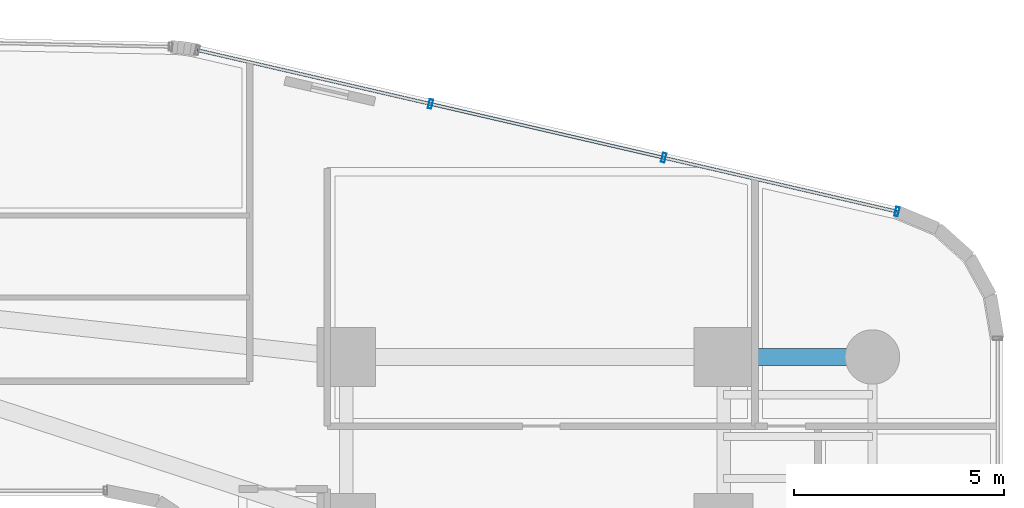
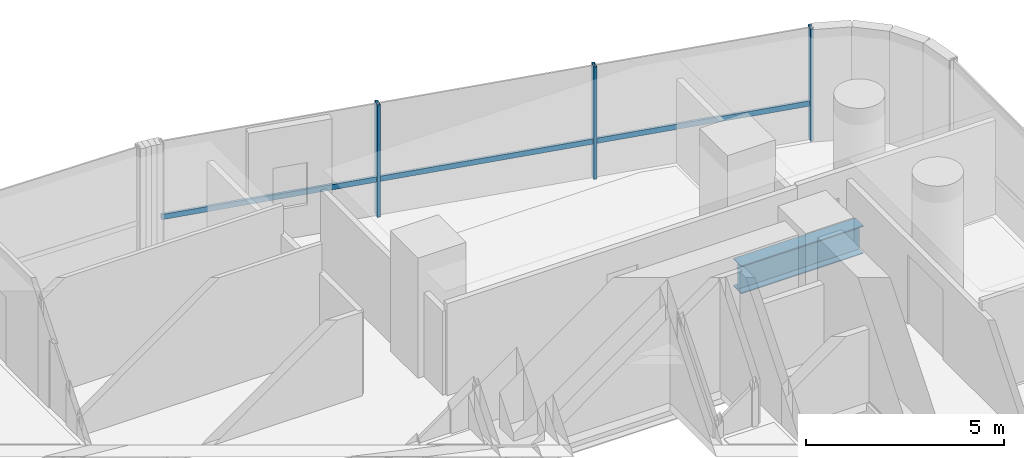
# One storey, part 25 of 41: 4 members, 1 beam, 1 element without a shape of its own.
"""IFC4 building model written with IfcOpenShell, lengths in metres."""

import ifcopenshell
import ifcopenshell.guid

model = None  # the IFC model being written
_history = None  # IfcOwnerHistory: only IFC2X3 demands one
_inside = {}  # id of a spatial element -> (the spatial element, [elements in it])
_under = {}  # id of a project, library or spatial element -> (it, [spatial elements below it])
_declared = {}  # id of a project -> (the project, [libraries it declares])
_typed = {}  # id of a type object -> (the type object, [elements of that type])
_made_of = {}  # id of a material, layer set ... -> (it, [elements and type objects made of it])


def new_model(schema):
    """Start an empty IFC model of exactly this schema.

    Asked for "IFC4X3", IfcOpenShell would pick the latest addendum, in which some entities
    have other attributes; the version numbers below select the first issue.
    IFC2X3 requires an IfcOwnerHistory on every rooted entity: one is made here for all.
    """
    global model, _history
    if schema == "IFC4X3":
        model = ifcopenshell.file(schema_version=(4, 3, 0, 0))
    else:
        model = ifcopenshell.file(schema=schema)
    _inside.clear()
    _under.clear()
    _declared.clear()
    _typed.clear()
    _made_of.clear()
    _history = None
    if model.schema == "IFC2X3":
        org = make("IfcOrganization", Name="unknown")
        user = make(
            "IfcPersonAndOrganization",
            ThePerson=make("IfcPerson", FamilyName="unknown"),
            TheOrganization=org,
        )
        app = make(
            "IfcApplication",
            ApplicationDeveloper=org,
            Version="unknown",
            ApplicationFullName="unknown",
            ApplicationIdentifier="unknown",
        )
        _history = make(
            "IfcOwnerHistory",
            OwningUser=user,
            OwningApplication=app,
            ChangeAction="ADDED",
            CreationDate=0,
        )
    return model


def make(cls, **values):
    """One entity of the class cls with the attributes given. An attribute that is None is left unset."""
    return model.create_entity(
        cls, **{name: value for name, value in values.items() if value is not None}
    )


def rooted(cls, **values):
    """An entity with a GlobalId (a new one), such as an element, a storey or a relation."""
    return make(cls, GlobalId=ifcopenshell.guid.new(), OwnerHistory=_history, **values)


def si_unit(unit_type, name, prefix=None):
    """IfcSIUnit, for example si_unit("LENGTHUNIT", "METRE", prefix="MILLI")."""
    return make("IfcSIUnit", UnitType=unit_type, Prefix=prefix, Name=name)


def assignment(units):
    """IfcUnitAssignment: the units of a project."""
    return None if units is None else make("IfcUnitAssignment", Units=units)


def point(xyz):
    """IfcCartesianPoint."""
    return None if xyz is None else make("IfcCartesianPoint", Coordinates=xyz)


def direction(xyz):
    """IfcDirection."""
    return None if xyz is None else make("IfcDirection", DirectionRatios=xyz)


def frame(location, z_axis=None, x_axis=None):
    """IfcAxis2Placement3D, a coordinate frame: its origin and axes. An axis left out is left unset."""
    return make(
        "IfcAxis2Placement3D",
        Location=point(location),
        Axis=direction(z_axis),
        RefDirection=direction(x_axis),
    )


def frame_2d(location, x_axis=None):
    """IfcAxis2Placement2D, a coordinate frame in the plane: its origin and x axis."""
    return make(
        "IfcAxis2Placement2D", Location=point(location), RefDirection=direction(x_axis)
    )


def origin():
    """The frame at (0, 0, 0) with its axes left unset."""
    return frame((0.0, 0.0, 0.0))


def origin_2d():
    """The frame at (0, 0) in the plane with its x axis left unset."""
    return frame_2d((0.0, 0.0))


def place(relative_to, where):
    """IfcLocalPlacement: puts the frame where relative to a parent placement (None: the world)."""
    return make(
        "IfcLocalPlacement", PlacementRelTo=relative_to, RelativePlacement=where
    )


def context(
    kind, dimensions, precision=None, world=None, true_north=None, identifier=None
):
    """IfcGeometricRepresentationContext, for example the 3D "Model" context."""
    return make(
        "IfcGeometricRepresentationContext",
        ContextIdentifier=identifier,
        ContextType=kind,
        CoordinateSpaceDimension=dimensions,
        Precision=precision,
        WorldCoordinateSystem=world,
        TrueNorth=true_north,
    )


def subcontext(parent, identifier, kind, view, scale=None):
    """IfcGeometricRepresentationSubContext, for example "Body" below "Model"."""
    return make(
        "IfcGeometricRepresentationSubContext",
        ContextIdentifier=identifier,
        ContextType=kind,
        ParentContext=parent,
        TargetScale=scale,
        TargetView=view,
    )


def project(units=None, contexts=None):
    """IfcProject with its units and contexts."""
    return rooted(
        "IfcProject",
        Name="project",
        RepresentationContexts=contexts,
        UnitsInContext=assignment(units),
    )


def spatial(cls, under=None, at=None, **own):
    """A site, building, storey or space (cls), placed at a placement, below another one or the project."""
    s = rooted(cls, ObjectPlacement=at, **own)
    if under is not None:
        _under.setdefault(under.id(), (under, []))[1].append(s)
    return s


def profile(cls, at=None, kind="AREA", **sizes):
    """A parametric profile (cls). Its sizes go by their IFC names, for example OverallWidth=200.0."""
    return make(cls, ProfileType=kind, Position=at, **sizes)


def hollow_rectangle(**sizes):
    """IfcRectangleHollowProfileDef."""
    return profile("IfcRectangleHollowProfileDef", **sizes)


def i_section(**sizes):
    """IfcIShapeProfileDef."""
    return profile("IfcIShapeProfileDef", **sizes)


def extrude(swept, where, along, depth):
    """IfcExtrudedAreaSolid: the profile swept, set in the frame where, extruded along a direction by depth."""
    return make(
        "IfcExtrudedAreaSolid",
        SweptArea=swept,
        Position=where,
        ExtrudedDirection=direction(along),
        Depth=depth,
    )


def shape(context_of_items, identifier, shape_type, items):
    """IfcShapeRepresentation: the items that make up one representation, for example the "Body"."""
    return make(
        "IfcShapeRepresentation",
        ContextOfItems=context_of_items,
        RepresentationIdentifier=identifier,
        RepresentationType=shape_type,
        Items=items,
    )


def source(mapping_origin, context_of_items, identifier, shape_type, items):
    """IfcRepresentationMap: a shape defined once, which mapped items show again and again."""
    return make(
        "IfcRepresentationMap",
        MappingOrigin=mapping_origin,
        MappedRepresentation=shape(context_of_items, identifier, shape_type, items),
    )


def transform(
    local_origin,
    x_axis=None,
    y_axis=None,
    z_axis=None,
    scale=None,
    scale2=None,
    scale3=None,
    uniform=True,
):
    """IfcCartesianTransformationOperator3D, or its non-uniform kind. x_axis, y_axis, z_axis: its Axis1, 2, 3."""
    if uniform:
        return make(
            "IfcCartesianTransformationOperator3D",
            Axis1=direction(x_axis),
            Axis2=direction(y_axis),
            LocalOrigin=point(local_origin),
            Scale=scale,
            Axis3=direction(z_axis),
        )
    return make(
        "IfcCartesianTransformationOperator3DnonUniform",
        Axis1=direction(x_axis),
        Axis2=direction(y_axis),
        LocalOrigin=point(local_origin),
        Scale=scale,
        Axis3=direction(z_axis),
        Scale2=scale2,
        Scale3=scale3,
    )


def mapped(mapping_source, mapping_target):
    """IfcMappedItem: shows the shape of a source again, moved by a transform."""
    return make(
        "IfcMappedItem", MappingSource=mapping_source, MappingTarget=mapping_target
    )


def material(Name=None, Category=None):
    """IfcMaterial."""
    return make("IfcMaterial", Name=Name, Category=Category)


def material_profile(
    of_material, cross_section, Name=None, Category=None, Priority=None
):
    """IfcMaterialProfile: a cross section and its material."""
    return make(
        "IfcMaterialProfile",
        Name=Name,
        Material=of_material,
        Profile=cross_section,
        Priority=Priority,
        Category=Category,
    )


def profile_set(profiles, Name=None, composite=None):
    """IfcMaterialProfileSet."""
    return make(
        "IfcMaterialProfileSet",
        Name=Name,
        MaterialProfiles=profiles,
        CompositeProfile=composite,
    )


def made_of(thing, what):
    """Note that an element or type object is made of a material, layer set ...; save() writes the relation."""
    if what is not None:
        _made_of.setdefault(what.id(), (what, []))[1].append(thing)
    return thing


def type_object(cls, material=None, **own):
    """A type object (cls), such as IfcWallType, which elements share."""
    return made_of(rooted(cls, **own), material)


def element(
    cls,
    number,
    at=None,
    inside=None,
    cuts=None,
    type_object=None,
    material=None,
    context=None,
    identifier="Body",
    shape_type=None,
    held_by="IfcProductDefinitionShape",
    body=None,
    shapes=None,
    **own,
):
    """One element of the class cls, such as IfcWall. Its Tag is "e" and its number.

    at: its placement. inside: the storey or other place that contains it. cuts: it is an
    opening in that element (IfcRelVoidsElement). A single representation is given by context,
    identifier, shape_type and body (its items); several are given by shapes. held_by: the class
    of the entity that holds the representations. save() writes the other relations.
    """
    e = rooted(cls, Tag="e%d" % number, ObjectPlacement=at, **own)
    if body is not None:
        shapes = [shape(context, identifier, shape_type, body)]
    if shapes is not None:
        e.Representation = make(held_by, Representations=shapes)
    if inside is not None:
        _inside.setdefault(inside.id(), (inside, []))[1].append(e)
    if cuts is not None:
        rooted(
            "IfcRelVoidsElement", RelatingBuildingElement=cuts, RelatedOpeningElement=e
        )
    if type_object is not None:
        _typed.setdefault(type_object.id(), (type_object, []))[1].append(e)
    return made_of(e, material)


def aggregate(whole, parts):
    """IfcRelAggregates: a whole, such as a stair, and the parts it consists of."""
    return rooted("IfcRelAggregates", RelatingObject=whole, RelatedObjects=parts)


def save(model, path):
    """Write the relations noted so far, then the file.

    IfcRelAggregates (storeys below a building ...), IfcRelContainedInSpatialStructure (elements
    in a storey), IfcRelDefinesByType, IfcRelAssociatesMaterial and IfcRelDeclares: one each for
    every whole, place, type object, material and project.
    """
    for whole, parts in _under.values():
        aggregate(whole, parts)
    for where, things in _inside.values():
        rooted(
            "IfcRelContainedInSpatialStructure",
            RelatedElements=things,
            RelatingStructure=where,
        )
    for kind, things in _typed.values():
        rooted("IfcRelDefinesByType", RelatedObjects=things, RelatingType=kind)
    for what, things in _made_of.values():
        rooted("IfcRelAssociatesMaterial", RelatedObjects=things, RelatingMaterial=what)
    for by, libraries in _declared.values():
        rooted("IfcRelDeclares", RelatingContext=by, RelatedDefinitions=libraries)
    model.write(path)


model = new_model("IFC4")

# Units and contexts
model_context = context("Model", 3, precision=1e-05, world=origin(), true_north=direction((0.0, 1.0)))
body_context = subcontext(model_context, "Body", "Model", "MODEL_VIEW")
ifc_project = project(units=[si_unit("LENGTHUNIT", "METRE"), si_unit("AREAUNIT", "SQUARE_METRE"), si_unit("VOLUMEUNIT", "CUBIC_METRE"), si_unit("PLANEANGLEUNIT", "RADIAN"), si_unit("MASSUNIT", "GRAM", prefix="KILO")], contexts=[model_context])

# Site, building, storey
site_placement = place(None, origin())
site = spatial("IfcSite", under=ifc_project, at=site_placement, CompositionType="ELEMENT")
building_placement = place(site_placement, origin())
building = spatial("IfcBuilding", under=site, at=building_placement, Name="Valdorenza Pilgrim Sanctuary Tower", CompositionType="ELEMENT")
storey_placement = place(building_placement, frame((0.0, 0.0, 85.199951171875)))
storey = spatial("IfcBuildingStorey", under=building, at=storey_placement, Name="L21", CompositionType="ELEMENT", Elevation=85.199951171875)

# Beam
ifc_material_1 = material(Name="Steel ASTM A992 Grade 50", Category="steel")
ifc_material_profile_1 = material_profile(ifc_material_1, i_section(OverallWidth=0.39990234375, OverallDepth=0.862060546875, WebThickness=0.019775390625, FlangeThickness=0.032470703125, at=origin_2d()), Name="W33X221")
ifc_profile_set_1 = profile_set([ifc_material_profile_1], Name="Steel ASTM A992 Grade 50")
beam_type = type_object("IfcBeamType", Name="STR-BM-GRD-W33", PredefinedType="BEAM", material=ifc_profile_set_1)
shared_shape_1 = source(origin(), body_context, "Body", "SweptSolid", [
    extrude(i_section(OverallWidth=0.39990234375, OverallDepth=0.862060546875, WebThickness=0.019775390625, FlangeThickness=0.032470703125, at=origin_2d()), origin(), (0.0, 0.0, 1.0), 3.5498046875),
])
beam_placement = place(storey_placement, frame((24.85009765625, 13.5, -0.6708984375), z_axis=(1.0, 0.0, 0.0), x_axis=(0.0, 1.0, 0.0)))
element("IfcBeam", 1, at=beam_placement, inside=storey, type_object=beam_type, Name="L21 Floor Girder WB-XE-N2", PredefinedType="BEAM", context=body_context, shape_type="MappedRepresentation", body=[
    mapped(shared_shape_1, transform((0.0, 0.0, 0.0), x_axis=(1.0, 0.0, 0.0), y_axis=(0.0, 1.0, 0.0), z_axis=(0.0, 0.0, 1.0), scale=1.0)),
])

# Curtain wall, members
ifc_material_2 = material(Name="Curtain-wall IGU glazing", Category="glass")
curtain_wall_type = type_object("IfcCurtainWallType", Name="CW-SYS-03", PredefinedType="NOTDEFINED", material=ifc_material_2)
curtain_wall_placement = place(storey_placement, origin())
curtain_wall = element("IfcCurtainWall", 2, at=curtain_wall_placement, inside=storey, type_object=curtain_wall_type, Name="L21 Curtain Wall CW-L21-1-16", PredefinedType="NOTDEFINED")
ifc_material_3 = material(Name="Anodised aluminium AW-6060", Category="aluminium")
ifc_material_profile_2 = material_profile(ifc_material_3, hollow_rectangle(XDim=0.0849609375, YDim=0.219970703125, WallThickness=0.0048828125, at=origin_2d()), Name="ALU-M 220x85x5")
ifc_profile_set_2 = profile_set([ifc_material_profile_2], Name="Anodised aluminium AW-6060")
member_type_1 = type_object("IfcMemberType", Name="CW-MUL-03", PredefinedType="MULLION", material=ifc_profile_set_2)
shared_shape_2 = source(origin(), body_context, "Body", "SweptSolid", [
    extrude(hollow_rectangle(XDim=0.0849609375, YDim=0.219970703125, WallThickness=0.0048828125, at=origin_2d()), origin(), (0.0, 0.0, 1.0), 3.4599609375),
])
member_1_placement = place(storey_placement, frame((17.861328125, 19.534423828125, 0.0), z_axis=(0.0, 0.0, 1.0), x_axis=(0.974389691758, -0.224866023659, 0.0)))
member_1 = element("IfcMember", 3, at=member_1_placement, type_object=member_type_1, Name="CW-L21-1-16 Mullion 2", PredefinedType="MULLION", context=body_context, shape_type="MappedRepresentation", body=[
    mapped(shared_shape_2, transform((0.0, 0.0, 0.0), x_axis=(1.0, 0.0, 0.0), y_axis=(0.0, 1.0, 0.0), z_axis=(0.0, 0.0, 1.0), scale=1.0)),
])
member_2_placement = place(storey_placement, frame((23.423583984375, 18.2509765625, 0.0), z_axis=(0.0, 0.0, 1.0), x_axis=(0.974389691758, -0.224866023659, 0.0)))
member_2 = element("IfcMember", 4, at=member_2_placement, type_object=member_type_1, Name="CW-L21-1-16 Mullion 3", PredefinedType="MULLION", context=body_context, shape_type="MappedRepresentation", body=[
    mapped(shared_shape_2, transform((0.0, 0.0, 0.0), x_axis=(1.0, 0.0, 0.0), y_axis=(0.0, 1.0, 0.0), z_axis=(0.0, 0.0, 1.0), scale=1.0)),
])
member_3_placement = place(storey_placement, frame((28.98583984375, 16.96728515625, 0.0), z_axis=(0.0, 0.0, 1.0), x_axis=(0.974389691758, -0.224866023659, 0.0)))
member_3 = element("IfcMember", 5, at=member_3_placement, type_object=member_type_1, Name="CW-L21-1-16 Mullion 4", PredefinedType="MULLION", context=body_context, shape_type="MappedRepresentation", body=[
    mapped(shared_shape_2, transform((0.0, 0.0, 0.0), x_axis=(1.0, 0.0, 0.0), y_axis=(0.0, 1.0, 0.0), z_axis=(0.0, 0.0, 1.0), scale=1.0)),
])
ifc_material_profile_3 = material_profile(ifc_material_3, hollow_rectangle(XDim=0.074951171875, YDim=0.159912109375, WallThickness=0.00390625, at=origin_2d()), Name="ALU-T 160x75x4")
ifc_profile_set_3 = profile_set([ifc_material_profile_3], Name="Anodised aluminium AW-6060")
member_type_2 = type_object("IfcMemberType", Name="CW-TRN-03", PredefinedType="USERDEFINED", material=ifc_profile_set_3)
shared_shape_3 = source(origin(), body_context, "Body", "SweptSolid", [
    extrude(hollow_rectangle(XDim=0.074951171875, YDim=0.159912109375, WallThickness=0.00390625, at=origin_2d()), origin(), (0.0, 0.0, 1.0), 17.125244140625),
])
member_4_placement = place(storey_placement, frame((12.299072265625, 20.818115234375, 1.1201171875), z_axis=(0.974390715149, -0.224861589051, 0.0), x_axis=(0.224861589051, 0.974390715149, 0.0)))
member_4 = element("IfcMember", 6, at=member_4_placement, type_object=member_type_2, Name="CW-L21-1-16 Transom 1", ObjectType="TRANSOM", PredefinedType="USERDEFINED", context=body_context, shape_type="MappedRepresentation", body=[
    mapped(shared_shape_3, transform((0.0, 0.0, 0.0), x_axis=(1.0, 0.0, 0.0), y_axis=(0.0, 1.0, 0.0), z_axis=(0.0, 0.0, 1.0), scale=1.0)),
])
aggregate(curtain_wall, [member_1, member_2, member_3, member_4])

save(model, "model.ifc")
